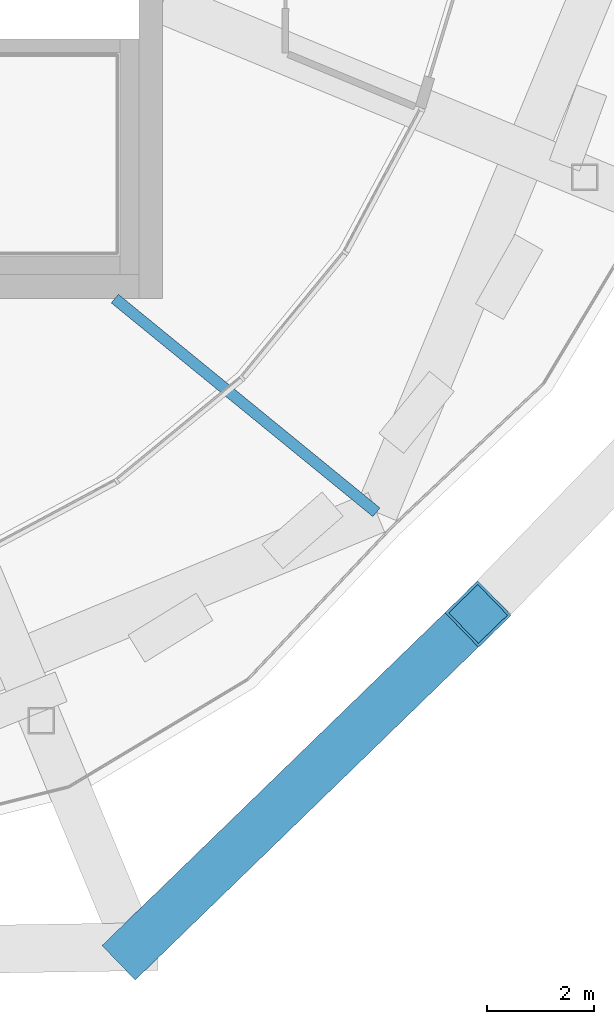
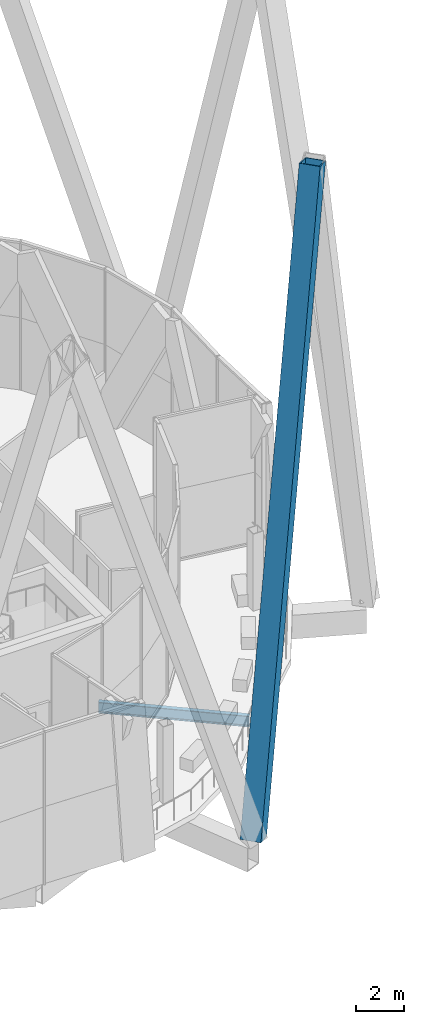
# One storey, part 10 of 53: 1 beam, 1 member.
"""IFC4 building model written with IfcOpenShell, lengths in metres."""

from ifc_helpers import new_model, si_unit, direction, frame, origin, origin_2d, place, context, subcontext, project, spatial, hollow_rectangle, i_section, extrude, material, material_profile, profile_set, type_object, element, save


model = new_model("IFC4")

# Units and contexts
model_context = context("Model", 3, precision=1e-05, world=origin(), true_north=direction((0.0, 1.0)))
body_context = subcontext(model_context, "Body", "Model", "MODEL_VIEW")
ifc_project = project(units=[si_unit("LENGTHUNIT", "METRE"), si_unit("AREAUNIT", "SQUARE_METRE"), si_unit("VOLUMEUNIT", "CUBIC_METRE"), si_unit("PLANEANGLEUNIT", "RADIAN"), si_unit("MASSUNIT", "GRAM", prefix="KILO")], contexts=[model_context])

# Site, building, storey
site_placement = place(None, origin())
site = spatial("IfcSite", under=ifc_project, at=site_placement, CompositionType="ELEMENT")
building_placement = place(site_placement, origin())
building = spatial("IfcBuilding", under=site, at=building_placement, Name="Ogive Gate Towers", CompositionType="ELEMENT")
storey_placement = place(building_placement, frame((0.0, 0.0, 240.60009765625)))
storey = spatial("IfcBuildingStorey", under=building, at=storey_placement, Name="L57", CompositionType="ELEMENT", Elevation=240.60009765625)

# Member
ifc_material_1 = material(Name="Steel SM460", Category="steel")
ifc_material_profile_1 = material_profile(ifc_material_1, hollow_rectangle(XDim=0.89990234375, YDim=0.89990234375, WallThickness=0.050048828125, at=origin_2d()), Name="BX 900x900x50")
ifc_profile_set_1 = profile_set([ifc_material_profile_1], Name="Steel SM460")
member_type = type_object("IfcMemberType", Name="Diagrid diagonal BX 900x900x50", PredefinedType="BRACE", material=ifc_profile_set_1)
member_placement = place(storey_placement, frame((-27.022216796875, -21.67431640625, 0.0), z_axis=(0.217751746913, 0.211259451685, 0.952866003586), x_axis=(-0.696326291775, 0.717725362087, 0.0)))
element("IfcMember", 1, at=member_placement, inside=storey, type_object=member_type, Name="T1/L57/SDG014", PredefinedType="BRACE", context=body_context, shape_type="SweptSolid", body=[
    extrude(hollow_rectangle(XDim=0.89990234375, YDim=0.89990234375, WallThickness=0.050048828125, at=origin_2d()), origin(), (0.0, 0.0, 1.0), 29.594970703125),
])

# Beam
ifc_material_2 = material(Name="Steel SM355", Category="steel")
ifc_material_profile_2 = material_profile(ifc_material_2, i_section(OverallWidth=0.2099609375, OverallDepth=0.550048828125, WebThickness=0.010986328125, FlangeThickness=0.01708984375, FilletRadius=0.02392578125, at=origin_2d()), Name="IPE 550")
ifc_profile_set_2 = profile_set([ifc_material_profile_2], Name="Steel SM355")
beam_type = type_object("IfcBeamType", Name="Radial floor beam IPE 550", PredefinedType="BEAM", material=ifc_profile_set_2)
beam_placement = place(storey_placement, frame((-27.39990234375, -9.5, -0.5751953125), z_axis=(0.774474926523, -0.632604606517, 0.0), x_axis=(0.632604606517, 0.774474926523, 0.0)))
element("IfcBeam", 2, at=beam_placement, inside=storey, type_object=beam_type, Name="T1/L57/SBM005", PredefinedType="BEAM", context=body_context, shape_type="SweptSolid", body=[
    extrude(i_section(OverallWidth=0.2099609375, OverallDepth=0.550048828125, WebThickness=0.010986328125, FlangeThickness=0.01708984375, FilletRadius=0.02392578125, at=origin_2d()), origin(), (0.0, 0.0, 1.0), 6.343017578125),
])

save(model, "model.ifc")
